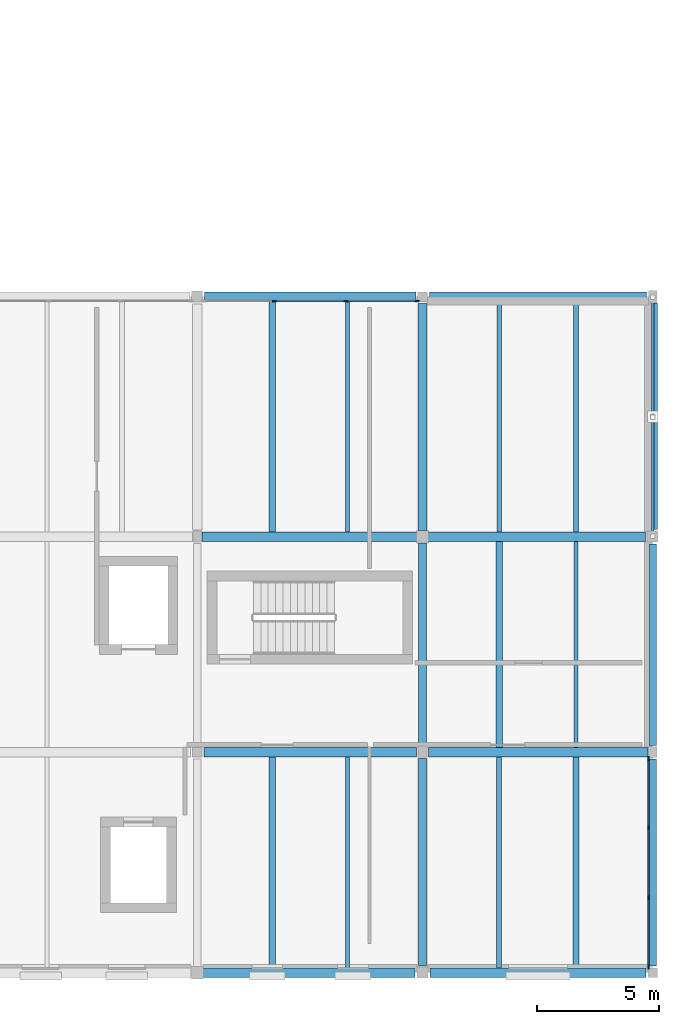
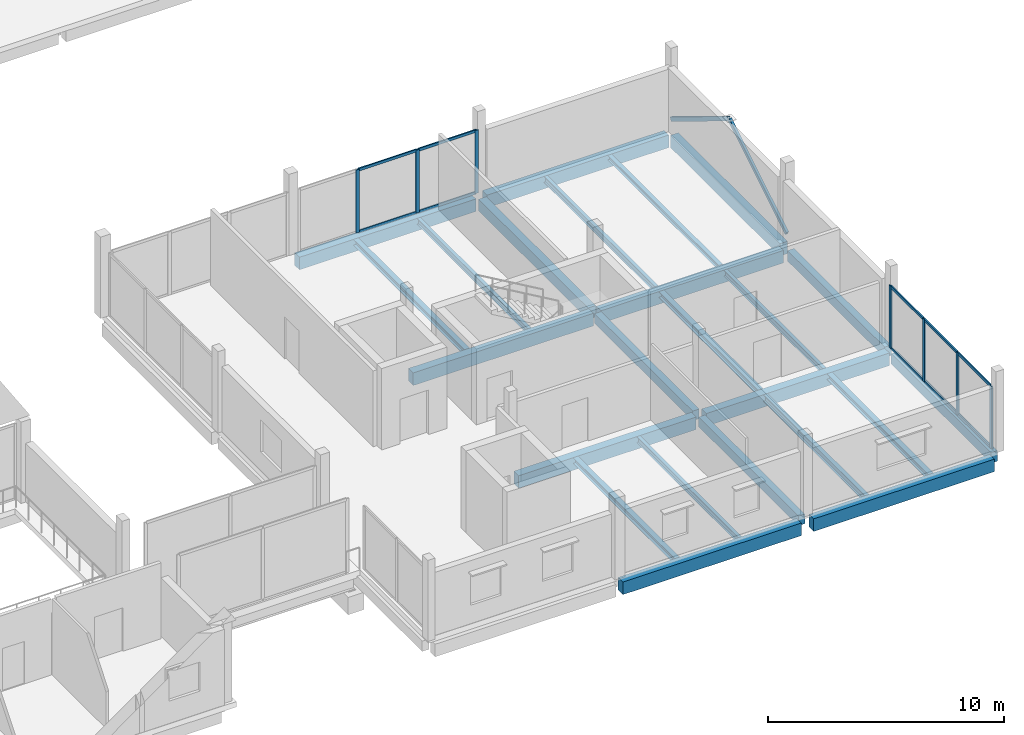
# One storey, part 13 of 35: 24 beams, 19 members, 2 elements without a shape of their own.
"""IFC4 building model written with IfcOpenShell, lengths in metres."""

import ifcopenshell
import ifcopenshell.guid

model = None  # the IFC model being written
_history = None  # IfcOwnerHistory: only IFC2X3 demands one
_inside = {}  # id of a spatial element -> (the spatial element, [elements in it])
_under = {}  # id of a project, library or spatial element -> (it, [spatial elements below it])
_declared = {}  # id of a project -> (the project, [libraries it declares])
_typed = {}  # id of a type object -> (the type object, [elements of that type])
_made_of = {}  # id of a material, layer set ... -> (it, [elements and type objects made of it])


def new_model(schema):
    """Start an empty IFC model of exactly this schema.

    Asked for "IFC4X3", IfcOpenShell would pick the latest addendum, in which some entities
    have other attributes; the version numbers below select the first issue.
    IFC2X3 requires an IfcOwnerHistory on every rooted entity: one is made here for all.
    """
    global model, _history
    if schema == "IFC4X3":
        model = ifcopenshell.file(schema_version=(4, 3, 0, 0))
    else:
        model = ifcopenshell.file(schema=schema)
    _inside.clear()
    _under.clear()
    _declared.clear()
    _typed.clear()
    _made_of.clear()
    _history = None
    if model.schema == "IFC2X3":
        org = make("IfcOrganization", Name="unknown")
        user = make(
            "IfcPersonAndOrganization",
            ThePerson=make("IfcPerson", FamilyName="unknown"),
            TheOrganization=org,
        )
        app = make(
            "IfcApplication",
            ApplicationDeveloper=org,
            Version="unknown",
            ApplicationFullName="unknown",
            ApplicationIdentifier="unknown",
        )
        _history = make(
            "IfcOwnerHistory",
            OwningUser=user,
            OwningApplication=app,
            ChangeAction="ADDED",
            CreationDate=0,
        )
    return model


def make(cls, **values):
    """One entity of the class cls with the attributes given. An attribute that is None is left unset."""
    return model.create_entity(
        cls, **{name: value for name, value in values.items() if value is not None}
    )


def rooted(cls, **values):
    """An entity with a GlobalId (a new one), such as an element, a storey or a relation."""
    return make(cls, GlobalId=ifcopenshell.guid.new(), OwnerHistory=_history, **values)


def si_unit(unit_type, name, prefix=None):
    """IfcSIUnit, for example si_unit("LENGTHUNIT", "METRE", prefix="MILLI")."""
    return make("IfcSIUnit", UnitType=unit_type, Prefix=prefix, Name=name)


def assignment(units):
    """IfcUnitAssignment: the units of a project."""
    return None if units is None else make("IfcUnitAssignment", Units=units)


def point(xyz):
    """IfcCartesianPoint."""
    return None if xyz is None else make("IfcCartesianPoint", Coordinates=xyz)


def direction(xyz):
    """IfcDirection."""
    return None if xyz is None else make("IfcDirection", DirectionRatios=xyz)


def frame(location, z_axis=None, x_axis=None):
    """IfcAxis2Placement3D, a coordinate frame: its origin and axes. An axis left out is left unset."""
    return make(
        "IfcAxis2Placement3D",
        Location=point(location),
        Axis=direction(z_axis),
        RefDirection=direction(x_axis),
    )


def frame_2d(location, x_axis=None):
    """IfcAxis2Placement2D, a coordinate frame in the plane: its origin and x axis."""
    return make(
        "IfcAxis2Placement2D", Location=point(location), RefDirection=direction(x_axis)
    )


def origin():
    """The frame at (0, 0, 0) with its axes left unset."""
    return frame((0.0, 0.0, 0.0))


def origin_2d():
    """The frame at (0, 0) in the plane with its x axis left unset."""
    return frame_2d((0.0, 0.0))


def place(relative_to, where):
    """IfcLocalPlacement: puts the frame where relative to a parent placement (None: the world)."""
    return make(
        "IfcLocalPlacement", PlacementRelTo=relative_to, RelativePlacement=where
    )


def context(
    kind, dimensions, precision=None, world=None, true_north=None, identifier=None
):
    """IfcGeometricRepresentationContext, for example the 3D "Model" context."""
    return make(
        "IfcGeometricRepresentationContext",
        ContextIdentifier=identifier,
        ContextType=kind,
        CoordinateSpaceDimension=dimensions,
        Precision=precision,
        WorldCoordinateSystem=world,
        TrueNorth=true_north,
    )


def subcontext(parent, identifier, kind, view, scale=None):
    """IfcGeometricRepresentationSubContext, for example "Body" below "Model"."""
    return make(
        "IfcGeometricRepresentationSubContext",
        ContextIdentifier=identifier,
        ContextType=kind,
        ParentContext=parent,
        TargetScale=scale,
        TargetView=view,
    )


def project(units=None, contexts=None):
    """IfcProject with its units and contexts."""
    return rooted(
        "IfcProject",
        Name="project",
        RepresentationContexts=contexts,
        UnitsInContext=assignment(units),
    )


def spatial(cls, under=None, at=None, **own):
    """A site, building, storey or space (cls), placed at a placement, below another one or the project."""
    s = rooted(cls, ObjectPlacement=at, **own)
    if under is not None:
        _under.setdefault(under.id(), (under, []))[1].append(s)
    return s


def profile(cls, at=None, kind="AREA", **sizes):
    """A parametric profile (cls). Its sizes go by their IFC names, for example OverallWidth=200.0."""
    return make(cls, ProfileType=kind, Position=at, **sizes)


def rectangle(**sizes):
    """IfcRectangleProfileDef."""
    return profile("IfcRectangleProfileDef", **sizes)


def hollow_rectangle(**sizes):
    """IfcRectangleHollowProfileDef."""
    return profile("IfcRectangleHollowProfileDef", **sizes)


def i_section(**sizes):
    """IfcIShapeProfileDef."""
    return profile("IfcIShapeProfileDef", **sizes)


def extrude(swept, where, along, depth):
    """IfcExtrudedAreaSolid: the profile swept, set in the frame where, extruded along a direction by depth."""
    return make(
        "IfcExtrudedAreaSolid",
        SweptArea=swept,
        Position=where,
        ExtrudedDirection=direction(along),
        Depth=depth,
    )


def shape(context_of_items, identifier, shape_type, items):
    """IfcShapeRepresentation: the items that make up one representation, for example the "Body"."""
    return make(
        "IfcShapeRepresentation",
        ContextOfItems=context_of_items,
        RepresentationIdentifier=identifier,
        RepresentationType=shape_type,
        Items=items,
    )


def material(Name=None, Category=None):
    """IfcMaterial."""
    return make("IfcMaterial", Name=Name, Category=Category)


def layer(
    of_material, thickness, ventilated=None, Name=None, Category=None, Priority=None
):
    """IfcMaterialLayer: one layer of a wall or slab, of a material (None: an air gap)."""
    return make(
        "IfcMaterialLayer",
        Material=of_material,
        LayerThickness=thickness,
        IsVentilated=ventilated,
        Name=Name,
        Category=Category,
        Priority=Priority,
    )


def layer_set(layers, Name=None):
    """IfcMaterialLayerSet."""
    return make("IfcMaterialLayerSet", MaterialLayers=layers, LayerSetName=Name)


def material_profile(
    of_material, cross_section, Name=None, Category=None, Priority=None
):
    """IfcMaterialProfile: a cross section and its material."""
    return make(
        "IfcMaterialProfile",
        Name=Name,
        Material=of_material,
        Profile=cross_section,
        Priority=Priority,
        Category=Category,
    )


def profile_set(profiles, Name=None, composite=None):
    """IfcMaterialProfileSet."""
    return make(
        "IfcMaterialProfileSet",
        Name=Name,
        MaterialProfiles=profiles,
        CompositeProfile=composite,
    )


def made_of(thing, what):
    """Note that an element or type object is made of a material, layer set ...; save() writes the relation."""
    if what is not None:
        _made_of.setdefault(what.id(), (what, []))[1].append(thing)
    return thing


def type_object(cls, material=None, **own):
    """A type object (cls), such as IfcWallType, which elements share."""
    return made_of(rooted(cls, **own), material)


def element(
    cls,
    number,
    at=None,
    inside=None,
    cuts=None,
    type_object=None,
    material=None,
    context=None,
    identifier="Body",
    shape_type=None,
    held_by="IfcProductDefinitionShape",
    body=None,
    shapes=None,
    **own,
):
    """One element of the class cls, such as IfcWall. Its Tag is "e" and its number.

    at: its placement. inside: the storey or other place that contains it. cuts: it is an
    opening in that element (IfcRelVoidsElement). A single representation is given by context,
    identifier, shape_type and body (its items); several are given by shapes. held_by: the class
    of the entity that holds the representations. save() writes the other relations.
    """
    e = rooted(cls, Tag="e%d" % number, ObjectPlacement=at, **own)
    if body is not None:
        shapes = [shape(context, identifier, shape_type, body)]
    if shapes is not None:
        e.Representation = make(held_by, Representations=shapes)
    if inside is not None:
        _inside.setdefault(inside.id(), (inside, []))[1].append(e)
    if cuts is not None:
        rooted(
            "IfcRelVoidsElement", RelatingBuildingElement=cuts, RelatedOpeningElement=e
        )
    if type_object is not None:
        _typed.setdefault(type_object.id(), (type_object, []))[1].append(e)
    return made_of(e, material)


def aggregate(whole, parts):
    """IfcRelAggregates: a whole, such as a stair, and the parts it consists of."""
    return rooted("IfcRelAggregates", RelatingObject=whole, RelatedObjects=parts)


def save(model, path):
    """Write the relations noted so far, then the file.

    IfcRelAggregates (storeys below a building ...), IfcRelContainedInSpatialStructure (elements
    in a storey), IfcRelDefinesByType, IfcRelAssociatesMaterial and IfcRelDeclares: one each for
    every whole, place, type object, material and project.
    """
    for whole, parts in _under.values():
        aggregate(whole, parts)
    for where, things in _inside.values():
        rooted(
            "IfcRelContainedInSpatialStructure",
            RelatedElements=things,
            RelatingStructure=where,
        )
    for kind, things in _typed.values():
        rooted("IfcRelDefinesByType", RelatedObjects=things, RelatingType=kind)
    for what, things in _made_of.values():
        rooted("IfcRelAssociatesMaterial", RelatedObjects=things, RelatingMaterial=what)
    for by, libraries in _declared.values():
        rooted("IfcRelDeclares", RelatingContext=by, RelatedDefinitions=libraries)
    model.write(path)


model = new_model("IFC4")

# Units and contexts
model_context = context("Model", 3, precision=1e-05, world=origin(), true_north=direction((0.0, 1.0)))
body_context = subcontext(model_context, "Body", "Model", "MODEL_VIEW")
ifc_project = project(units=[si_unit("LENGTHUNIT", "METRE"), si_unit("AREAUNIT", "SQUARE_METRE"), si_unit("VOLUMEUNIT", "CUBIC_METRE"), si_unit("PLANEANGLEUNIT", "RADIAN"), si_unit("MASSUNIT", "GRAM", prefix="KILO")], contexts=[model_context])

# Site, building, storey
site_placement = place(None, origin())
site = spatial("IfcSite", under=ifc_project, at=site_placement, CompositionType="ELEMENT")
building_placement = place(site_placement, origin())
building = spatial("IfcBuilding", under=site, at=building_placement, Name="Birchvale Park Specialist Clinic", CompositionType="ELEMENT")
storey_placement = place(building_placement, frame((0.0, 0.0, 13.800048828125)))
storey = spatial("IfcBuildingStorey", under=building, at=storey_placement, Name="L03", CompositionType="ELEMENT", Elevation=13.800048828125)

# Beams
ifc_material_1 = material(Name="Concrete C40/50", Category="concrete")
ifc_material_profile_1 = material_profile(ifc_material_1, rectangle(XDim=0.3798828125, YDim=0.639892578125, at=origin_2d()), Name="RCB-380x640")
ifc_profile_set_1 = profile_set([ifc_material_profile_1], Name="Concrete C40/50")
beam_type_1 = type_object("IfcBeamType", Name="BM-EXT-BG5", PredefinedType="BEAM", material=ifc_profile_set_1)
beam_1_placement = place(storey_placement, frame((155.800048828125, 34.89990234375, -0.60009765625), z_axis=(0.0, 1.0, 0.0), x_axis=(-1.0, 0.0, 0.0)))
element("IfcBeam", 1, at=beam_1_placement, inside=storey, type_object=beam_type_1, Name="V5 L03 Y girder 24", PredefinedType="BEAM", context=body_context, shape_type="SweptSolid", body=[
    extrude(rectangle(XDim=0.3798828125, YDim=0.639892578125, at=origin_2d()), origin(), (0.0, 0.0, 1.0), 9.25),
])
ifc_material_profile_2 = material_profile(ifc_material_1, rectangle(XDim=0.320068359375, YDim=0.5400390625, at=origin_2d()), Name="RCB-320x540")
ifc_profile_set_2 = profile_set([ifc_material_profile_2], Name="Concrete C40/50")
beam_type_2 = type_object("IfcBeamType", Name="BM-EXT-BG7", PredefinedType="BEAM", material=ifc_profile_set_2)
beam_2_placement = place(storey_placement, frame((155.800048828125, 17.074951171875, -0.550048828125), z_axis=(0.0, 1.0, 0.0), x_axis=(-1.0, 0.0, 0.0)))
element("IfcBeam", 2, at=beam_2_placement, inside=storey, type_object=beam_type_2, Name="V5 L03 Y girder 22", PredefinedType="BEAM", context=body_context, shape_type="SweptSolid", body=[
    extrude(rectangle(XDim=0.320068359375, YDim=0.5400390625, at=origin_2d()), origin(), (0.0, 0.0, 1.0), 8.449951171875),
])
beam_3_placement = place(storey_placement, frame((155.800048828125, 26.074951171875, -0.550048828125), z_axis=(0.0, 1.0, 0.0), x_axis=(-1.0, 0.0, 0.0)))
element("IfcBeam", 3, at=beam_3_placement, inside=storey, type_object=beam_type_2, Name="V5 L03 Y girder 23", PredefinedType="BEAM", context=body_context, shape_type="SweptSolid", body=[
    extrude(rectangle(XDim=0.320068359375, YDim=0.5400390625, at=origin_2d()), origin(), (0.0, 0.0, 1.0), 8.22509765625),
])
ifc_material_profile_3 = material_profile(ifc_material_1, rectangle(XDim=0.39990234375, YDim=0.64990234375, at=origin_2d()), Name="RCB-400x650")
ifc_profile_set_3 = profile_set([ifc_material_profile_3], Name="Concrete C40/50")
beam_type_3 = type_object("IfcBeamType", Name="BM-INT-BG4", PredefinedType="BEAM", material=ifc_profile_set_3)
beam_4_placement = place(storey_placement, frame((137.375, 16.800048828125, -0.60498046875), z_axis=(1.0, 0.0, 0.0), x_axis=(0.0, 1.0, 0.0)))
element("IfcBeam", 4, at=beam_4_placement, inside=storey, type_object=beam_type_3, Name="V5 L03 X girder 2", PredefinedType="BEAM", context=body_context, shape_type="SweptSolid", body=[
    extrude(rectangle(XDim=0.39990234375, YDim=0.64990234375, at=origin_2d()), origin(), (0.0, 0.0, 1.0), 8.72509765625),
])
beam_5_placement = place(storey_placement, frame((146.699951171875, 16.800048828125, -0.60498046875), z_axis=(1.0, 0.0, 0.0), x_axis=(0.0, 1.0, 0.0)))
element("IfcBeam", 5, at=beam_5_placement, inside=storey, type_object=beam_type_3, Name="V5 L03 X girder 3", PredefinedType="BEAM", context=body_context, shape_type="SweptSolid", body=[
    extrude(rectangle(XDim=0.39990234375, YDim=0.64990234375, at=origin_2d()), origin(), (0.0, 0.0, 1.0), 8.824951171875),
])
beam_6_placement = place(storey_placement, frame((137.47509765625, 25.800048828125, -0.60498046875), z_axis=(1.0, 0.0, 0.0), x_axis=(0.0, 1.0, 0.0)))
element("IfcBeam", 6, at=beam_6_placement, inside=storey, type_object=beam_type_3, Name="V5 L03 X girder 5", PredefinedType="BEAM", context=body_context, shape_type="SweptSolid", body=[
    extrude(rectangle(XDim=0.39990234375, YDim=0.64990234375, at=origin_2d()), origin(), (0.0, 0.0, 1.0), 8.6748046875),
])
beam_7_placement = place(storey_placement, frame((146.64990234375, 25.800048828125, -0.60498046875), z_axis=(1.0, 0.0, 0.0), x_axis=(0.0, 1.0, 0.0)))
element("IfcBeam", 7, at=beam_7_placement, inside=storey, type_object=beam_type_3, Name="V5 L03 X girder 6", PredefinedType="BEAM", context=body_context, shape_type="SweptSolid", body=[
    extrude(rectangle(XDim=0.39990234375, YDim=0.64990234375, at=origin_2d()), origin(), (0.0, 0.0, 1.0), 8.9501953125),
])
beam_8_placement = place(storey_placement, frame((137.39990234375, 34.60009765625, -0.60498046875), z_axis=(1.0, 0.0, 0.0), x_axis=(0.0, 1.0, 0.0)))
element("IfcBeam", 8, at=beam_8_placement, inside=storey, type_object=beam_type_3, Name="V5 L03 X girder 8", PredefinedType="BEAM", context=body_context, shape_type="SweptSolid", body=[
    extrude(rectangle(XDim=0.39990234375, YDim=0.64990234375, at=origin_2d()), origin(), (0.0, 0.0, 1.0), 8.8251953125),
])
beam_9_placement = place(storey_placement, frame((146.574951171875, 34.60009765625, -0.60498046875), z_axis=(1.0, 0.0, 0.0), x_axis=(0.0, 1.0, 0.0)))
element("IfcBeam", 9, at=beam_9_placement, inside=storey, type_object=beam_type_3, Name="V5 L03 X girder 9", PredefinedType="BEAM", context=body_context, shape_type="SweptSolid", body=[
    extrude(rectangle(XDim=0.39990234375, YDim=0.64990234375, at=origin_2d()), origin(), (0.0, 0.0, 1.0), 8.925048828125),
])
beam_10_placement = place(storey_placement, frame((137.5, 44.39990234375, -0.60498046875), z_axis=(1.0, 0.0, 0.0), x_axis=(0.0, 1.0, 0.0)))
element("IfcBeam", 10, at=beam_10_placement, inside=storey, type_object=beam_type_3, Name="V5 L03 X girder 11", PredefinedType="BEAM", context=body_context, shape_type="SweptSolid", body=[
    extrude(rectangle(XDim=0.39990234375, YDim=0.64990234375, at=origin_2d()), origin(), (0.0, 0.0, 1.0), 8.625),
])
beam_11_placement = place(storey_placement, frame((146.675048828125, 44.39990234375, -0.60498046875), z_axis=(1.0, 0.0, 0.0), x_axis=(0.0, 1.0, 0.0)))
element("IfcBeam", 11, at=beam_11_placement, inside=storey, type_object=beam_type_3, Name="V5 L03 X girder 12", PredefinedType="BEAM", context=body_context, shape_type="SweptSolid", body=[
    extrude(rectangle(XDim=0.39990234375, YDim=0.64990234375, at=origin_2d()), origin(), (0.0, 0.0, 1.0), 8.875),
])
ifc_material_profile_4 = material_profile(ifc_material_1, rectangle(XDim=0.3798828125, YDim=0.60009765625, at=origin_2d()), Name="RCB-380x600")
ifc_profile_set_4 = profile_set([ifc_material_profile_4], Name="Concrete C40/50")
beam_type_4 = type_object("IfcBeamType", Name="BM-INT-BG5", PredefinedType="BEAM", material=ifc_profile_set_4)
beam_12_placement = place(storey_placement, frame((146.39990234375, 34.85009765625, -0.580078125), z_axis=(0.0, 1.0, 0.0), x_axis=(-1.0, 0.0, 0.0)))
element("IfcBeam", 12, at=beam_12_placement, inside=storey, type_object=beam_type_4, Name="V5 L03 Y girder 21", PredefinedType="BEAM", context=body_context, shape_type="SweptSolid", body=[
    extrude(rectangle(XDim=0.3798828125, YDim=0.60009765625, at=origin_2d()), origin(), (0.0, 0.0, 1.0), 9.27490234375),
])
ifc_material_profile_5 = material_profile(ifc_material_1, rectangle(XDim=0.320068359375, YDim=0.5, at=origin_2d()), Name="RCB-320x500")
ifc_profile_set_5 = profile_set([ifc_material_profile_5], Name="Concrete C40/50")
beam_type_5 = type_object("IfcBeamType", Name="BM-INT-BG7", PredefinedType="BEAM", material=ifc_profile_set_5)
beam_13_placement = place(storey_placement, frame((146.39990234375, 17.10009765625, -0.530029296875), z_axis=(0.0, 1.0, 0.0), x_axis=(-1.0, 0.0, 0.0)))
element("IfcBeam", 13, at=beam_13_placement, inside=storey, type_object=beam_type_5, Name="V5 L03 Y girder 19", PredefinedType="BEAM", context=body_context, shape_type="SweptSolid", body=[
    extrude(rectangle(XDim=0.320068359375, YDim=0.5, at=origin_2d()), origin(), (0.0, 0.0, 1.0), 8.449951171875),
])
beam_14_placement = place(storey_placement, frame((146.39990234375, 26.050048828125, -0.530029296875), z_axis=(0.0, 1.0, 0.0), x_axis=(-1.0, 0.0, 0.0)))
element("IfcBeam", 14, at=beam_14_placement, inside=storey, type_object=beam_type_5, Name="V5 L03 Y girder 20", PredefinedType="BEAM", context=body_context, shape_type="SweptSolid", body=[
    extrude(rectangle(XDim=0.320068359375, YDim=0.5, at=origin_2d()), origin(), (0.0, 0.0, 1.0), 8.300048828125),
])

# Curtain wall, members
ifc_material_2 = material(Name="Thermally broken anodised aluminium", Category="aluminium")
ifc_layer = layer(ifc_material_2, 0.195068359375)
ifc_layer_set = layer_set([ifc_layer], Name="Thermally broken anodised aluminium")
curtain_wall_type = type_object("IfcCurtainWallType", Name="CW-U2", PredefinedType="USERDEFINED", material=ifc_layer_set)
curtain_wall_1_placement = place(storey_placement, origin())
curtain_wall_1 = element("IfcCurtainWall", 15, at=curtain_wall_1_placement, inside=storey, type_object=curtain_wall_type, Name="V5 L03 glazed curtain wall 125", ObjectType="UNITISED", PredefinedType="USERDEFINED")
ifc_material_profile_6 = material_profile(ifc_material_2, rectangle(XDim=0.06494140625, YDim=0.179931640625, at=origin_2d()), Name="CWM-65x180")
ifc_profile_set_6 = profile_set([ifc_material_profile_6], Name="Thermally broken anodised aluminium")
member_type_1 = type_object("IfcMemberType", Name="CWM2", PredefinedType="MULLION", material=ifc_profile_set_6)
member_1_placement = place(storey_placement, frame((155.625, 17.032470703125, 0.0), z_axis=(0.0, 0.0, 1.0), x_axis=(-1.0, 0.0, 0.0)))
member_1 = element("IfcMember", 16, at=member_1_placement, type_object=member_type_1, Name="CW mullion 1", PredefinedType="MULLION", context=body_context, shape_type="SweptSolid", body=[
    extrude(rectangle(XDim=0.06494140625, YDim=0.179931640625, at=origin_2d()), origin(), (0.0, 0.0, 1.0), 3.23486328125),
])
member_2_placement = place(storey_placement, frame((155.625, 19.8583984375, 0.0), z_axis=(0.0, 0.0, 1.0), x_axis=(-1.0, 0.0, 0.0)))
member_2 = element("IfcMember", 17, at=member_2_placement, type_object=member_type_1, Name="CW mullion 2", PredefinedType="MULLION", context=body_context, shape_type="SweptSolid", body=[
    extrude(rectangle(XDim=0.06494140625, YDim=0.179931640625, at=origin_2d()), origin(), (0.0, 0.0, 1.0), 3.23486328125),
])
member_3_placement = place(storey_placement, frame((155.625, 22.716552734375, 0.0), z_axis=(0.0, 0.0, 1.0), x_axis=(-1.0, 0.0, 0.0)))
member_3 = element("IfcMember", 18, at=member_3_placement, type_object=member_type_1, Name="CW mullion 3", PredefinedType="MULLION", context=body_context, shape_type="SweptSolid", body=[
    extrude(rectangle(XDim=0.06494140625, YDim=0.179931640625, at=origin_2d()), origin(), (0.0, 0.0, 1.0), 3.23486328125),
])
member_4_placement = place(storey_placement, frame((155.625, 25.54248046875, 0.0), z_axis=(0.0, 0.0, 1.0), x_axis=(-1.0, 0.0, 0.0)))
member_4 = element("IfcMember", 19, at=member_4_placement, type_object=member_type_1, Name="CW mullion 4", PredefinedType="MULLION", context=body_context, shape_type="SweptSolid", body=[
    extrude(rectangle(XDim=0.06494140625, YDim=0.179931640625, at=origin_2d()), origin(), (0.0, 0.0, 1.0), 3.23486328125),
])

curtain_wall_2_placement = place(storey_placement, origin())
curtain_wall_2 = element("IfcCurtainWall", 20, at=curtain_wall_2_placement, inside=storey, type_object=curtain_wall_type, Name="V5 L03 glazed curtain wall 126", ObjectType="UNITISED", PredefinedType="USERDEFINED")
member_5_placement = place(storey_placement, frame((146.16748046875, 44.22509765625, 0.0), z_axis=(0.0, 0.0, 1.0), x_axis=(0.0, -1.0, 0.0)))
member_5 = element("IfcMember", 21, at=member_5_placement, type_object=member_type_1, Name="CW mullion 1", PredefinedType="MULLION", context=body_context, shape_type="SweptSolid", body=[
    extrude(rectangle(XDim=0.06494140625, YDim=0.179931640625, at=origin_2d()), origin(), (0.0, 0.0, 1.0), 3.260009765625),
])
member_6_placement = place(storey_placement, frame((143.27490234375, 44.22509765625, 0.0), z_axis=(0.0, 0.0, 1.0), x_axis=(0.0, -1.0, 0.0)))
member_6 = element("IfcMember", 22, at=member_6_placement, type_object=member_type_1, Name="CW mullion 2", PredefinedType="MULLION", context=body_context, shape_type="SweptSolid", body=[
    extrude(rectangle(XDim=0.06494140625, YDim=0.179931640625, at=origin_2d()), origin(), (0.0, 0.0, 1.0), 3.260009765625),
])
member_7_placement = place(storey_placement, frame((140.35009765625, 44.22509765625, 0.0), z_axis=(0.0, 0.0, 1.0), x_axis=(0.0, -1.0, 0.0)))
member_7 = element("IfcMember", 23, at=member_7_placement, type_object=member_type_1, Name="CW mullion 3", PredefinedType="MULLION", context=body_context, shape_type="SweptSolid", body=[
    extrude(rectangle(XDim=0.06494140625, YDim=0.179931640625, at=origin_2d()), origin(), (0.0, 0.0, 1.0), 3.260009765625),
])

# Member
ifc_material_profile_7 = material_profile(ifc_material_2, rectangle(XDim=0.06494140625, YDim=0.139892578125, at=origin_2d()), Name="CWT-65x140")
ifc_profile_set_7 = profile_set([ifc_material_profile_7], Name="Thermally broken anodised aluminium")
member_type_2 = type_object("IfcMemberType", Name="CWT2", PredefinedType="USERDEFINED", material=ifc_profile_set_7)
member_8_placement = place(storey_placement, frame((155.625, 17.06494140625, 0.032470703125), z_axis=(0.0, 1.0, 0.0), x_axis=(-1.0, 0.0, 0.0)))
member_8 = element("IfcMember", 24, at=member_8_placement, type_object=member_type_2, Name="CW transom 1.1", ObjectType="TRANSOM", PredefinedType="USERDEFINED", context=body_context, shape_type="SweptSolid", body=[
    extrude(rectangle(XDim=0.06494140625, YDim=0.139892578125, at=origin_2d()), origin(), (0.0, 0.0, 1.0), 2.760986328125),
])

member_9_placement = place(storey_placement, frame((155.625, 17.06494140625, 3.202392578125), z_axis=(0.0, 1.0, 0.0), x_axis=(-1.0, 0.0, 0.0)))
member_9 = element("IfcMember", 25, at=member_9_placement, type_object=member_type_2, Name="CW transom 1.2", ObjectType="TRANSOM", PredefinedType="USERDEFINED", context=body_context, shape_type="SweptSolid", body=[
    extrude(rectangle(XDim=0.06494140625, YDim=0.139892578125, at=origin_2d()), origin(), (0.0, 0.0, 1.0), 2.760986328125),
])

member_10_placement = place(storey_placement, frame((155.625, 19.890869140625, 0.032470703125), z_axis=(0.0, 1.0, 0.0), x_axis=(-1.0, 0.0, 0.0)))
member_10 = element("IfcMember", 26, at=member_10_placement, type_object=member_type_2, Name="CW transom 2.1", ObjectType="TRANSOM", PredefinedType="USERDEFINED", context=body_context, shape_type="SweptSolid", body=[
    extrude(rectangle(XDim=0.06494140625, YDim=0.139892578125, at=origin_2d()), origin(), (0.0, 0.0, 1.0), 2.793212890625),
])

member_11_placement = place(storey_placement, frame((155.625, 19.890869140625, 3.202392578125), z_axis=(0.0, 1.0, 0.0), x_axis=(-1.0, 0.0, 0.0)))
member_11 = element("IfcMember", 27, at=member_11_placement, type_object=member_type_2, Name="CW transom 2.2", ObjectType="TRANSOM", PredefinedType="USERDEFINED", context=body_context, shape_type="SweptSolid", body=[
    extrude(rectangle(XDim=0.06494140625, YDim=0.139892578125, at=origin_2d()), origin(), (0.0, 0.0, 1.0), 2.793212890625),
])

member_12_placement = place(storey_placement, frame((155.625, 22.749267578125, 0.032470703125), z_axis=(0.0, 1.0, 0.0), x_axis=(-1.0, 0.0, 0.0)))
member_12 = element("IfcMember", 28, at=member_12_placement, type_object=member_type_2, Name="CW transom 3.1", ObjectType="TRANSOM", PredefinedType="USERDEFINED", context=body_context, shape_type="SweptSolid", body=[
    extrude(rectangle(XDim=0.06494140625, YDim=0.139892578125, at=origin_2d()), origin(), (0.0, 0.0, 1.0), 2.7607421875),
])

member_13_placement = place(storey_placement, frame((155.625, 22.749267578125, 3.202392578125), z_axis=(0.0, 1.0, 0.0), x_axis=(-1.0, 0.0, 0.0)))
member_13 = element("IfcMember", 29, at=member_13_placement, type_object=member_type_2, Name="CW transom 3.2", ObjectType="TRANSOM", PredefinedType="USERDEFINED", context=body_context, shape_type="SweptSolid", body=[
    extrude(rectangle(XDim=0.06494140625, YDim=0.139892578125, at=origin_2d()), origin(), (0.0, 0.0, 1.0), 2.7607421875),
])

aggregate(curtain_wall_1, [member_1, member_2, member_3, member_4, member_8, member_9, member_10, member_11, member_12, member_13])

member_14_placement = place(storey_placement, frame((146.135009765625, 44.22509765625, 0.032470703125), z_axis=(-1.0, 0.0, 0.0), x_axis=(0.0, -1.0, 0.0)))
member_14 = element("IfcMember", 30, at=member_14_placement, type_object=member_type_2, Name="CW transom 1.1", ObjectType="TRANSOM", PredefinedType="USERDEFINED", context=body_context, shape_type="SweptSolid", body=[
    extrude(rectangle(XDim=0.06494140625, YDim=0.139892578125, at=origin_2d()), origin(), (0.0, 0.0, 1.0), 2.827392578125),
])

member_15_placement = place(storey_placement, frame((146.135009765625, 44.22509765625, 3.2275390625), z_axis=(-1.0, 0.0, 0.0), x_axis=(0.0, -1.0, 0.0)))
member_15 = element("IfcMember", 31, at=member_15_placement, type_object=member_type_2, Name="CW transom 1.2", ObjectType="TRANSOM", PredefinedType="USERDEFINED", context=body_context, shape_type="SweptSolid", body=[
    extrude(rectangle(XDim=0.06494140625, YDim=0.139892578125, at=origin_2d()), origin(), (0.0, 0.0, 1.0), 2.827392578125),
])

member_16_placement = place(storey_placement, frame((143.242431640625, 44.22509765625, 0.032470703125), z_axis=(-1.0, 0.0, 0.0), x_axis=(0.0, -1.0, 0.0)))
member_16 = element("IfcMember", 32, at=member_16_placement, type_object=member_type_2, Name="CW transom 2.1", ObjectType="TRANSOM", PredefinedType="USERDEFINED", context=body_context, shape_type="SweptSolid", body=[
    extrude(rectangle(XDim=0.06494140625, YDim=0.139892578125, at=origin_2d()), origin(), (0.0, 0.0, 1.0), 2.85986328125),
])

member_17_placement = place(storey_placement, frame((143.242431640625, 44.22509765625, 3.2275390625), z_axis=(-1.0, 0.0, 0.0), x_axis=(0.0, -1.0, 0.0)))
member_17 = element("IfcMember", 33, at=member_17_placement, type_object=member_type_2, Name="CW transom 2.2", ObjectType="TRANSOM", PredefinedType="USERDEFINED", context=body_context, shape_type="SweptSolid", body=[
    extrude(rectangle(XDim=0.06494140625, YDim=0.139892578125, at=origin_2d()), origin(), (0.0, 0.0, 1.0), 2.85986328125),
])

aggregate(curtain_wall_2, [member_5, member_6, member_7, member_14, member_15, member_16, member_17])

# Members
ifc_material_3 = material(Name="Steel ASTM A500 Grade C", Category="steel")
ifc_material_profile_8 = material_profile(ifc_material_3, hollow_rectangle(XDim=0.1201171875, YDim=0.199951171875, WallThickness=0.008056640625, at=origin_2d()), Name="HSS120X200X8")
ifc_profile_set_8 = profile_set([ifc_material_profile_8], Name="Steel ASTM A500 Grade C")
member_type_3 = type_object("IfcMemberType", Name="MEM-BR8", PredefinedType="BRACE", material=ifc_profile_set_8)
for number, where, z_axis, x_axis, name in (
    (34, (155.800048828125, 34.62548828125, 0.365478515625), (0.0, 0.853612071838, 0.520909234715), (-1.0, 0.0, 0.0), "V5 L03 chevron steel brace 12.1"),
    (35, (155.800048828125, 44.37451171875, 0.365478515625), (0.0, -0.853612071838, 0.520909234715), (1.0, 0.0, 0.0), "V5 L03 chevron steel brace 12.2"),
):
    element("IfcMember", number, at=place(storey_placement, frame(where, z_axis=z_axis, x_axis=x_axis)), inside=storey, type_object=member_type_3, Name=name, PredefinedType="BRACE", context=body_context, shape_type="SweptSolid", body=[
        extrude(hollow_rectangle(XDim=0.1201171875, YDim=0.199951171875, WallThickness=0.008056640625, at=origin_2d()), origin(), (0.0, 0.0, 1.0), 5.680419921875),
    ])

# Beams
ifc_material_4 = material(Name="Steel ASTM A992 Grade 50", Category="steel")
ifc_material_profile_9 = material_profile(ifc_material_4, i_section(OverallWidth=0.2041015625, OverallDepth=0.35107421875, WebThickness=0.008544921875, FlangeThickness=0.01513671875, at=origin_2d()), Name="W14X48")
ifc_profile_set_9 = profile_set([ifc_material_profile_9], Name="Steel ASTM A992 Grade 50")
beam_type_6 = type_object("IfcBeamType", Name="STL-INT-SJ1", PredefinedType="JOIST", material=ifc_profile_set_9)
beam_15_placement = place(storey_placement, frame((149.533203125, 17.0, -0.45556640625), z_axis=(0.0, 1.0, 0.0), x_axis=(-1.0, 0.0, 0.0)))
element("IfcBeam", 36, at=beam_15_placement, inside=storey, type_object=beam_type_6, Name="V5 L03 secondary floor joist 9", PredefinedType="JOIST", context=body_context, shape_type="SweptSolid", body=[
    extrude(i_section(OverallWidth=0.2041015625, OverallDepth=0.35107421875, WebThickness=0.008544921875, FlangeThickness=0.01513671875, at=origin_2d()), origin(), (0.0, 0.0, 1.0), 8.60009765625),
])
ifc_material_profile_10 = material_profile(ifc_material_4, i_section(OverallWidth=0.25390625, OverallDepth=0.305908203125, WebThickness=0.0087890625, FlangeThickness=0.0146484375, at=origin_2d()), Name="W12X53")
ifc_profile_set_10 = profile_set([ifc_material_profile_10], Name="Steel ASTM A992 Grade 50")
beam_type_7 = type_object("IfcBeamType", Name="STL-INT-SJ2", PredefinedType="JOIST", material=ifc_profile_set_10)
beam_16_placement = place(storey_placement, frame((140.2666015625, 17.0, -0.43310546875), z_axis=(0.0, 1.0, 0.0), x_axis=(-1.0, 0.0, 0.0)))
element("IfcBeam", 37, at=beam_16_placement, inside=storey, type_object=beam_type_7, Name="V5 L03 secondary floor joist 5", PredefinedType="JOIST", context=body_context, shape_type="SweptSolid", body=[
    extrude(i_section(OverallWidth=0.25390625, OverallDepth=0.305908203125, WebThickness=0.0087890625, FlangeThickness=0.0146484375, at=origin_2d()), origin(), (0.0, 0.0, 1.0), 8.60009765625),
])
beam_17_placement = place(storey_placement, frame((140.2666015625, 34.800048828125, -0.43310546875), z_axis=(0.0, 1.0, 0.0), x_axis=(-1.0, 0.0, 0.0)))
element("IfcBeam", 38, at=beam_17_placement, inside=storey, type_object=beam_type_7, Name="V5 L03 secondary floor joist 7", PredefinedType="JOIST", context=body_context, shape_type="SweptSolid", body=[
    extrude(i_section(OverallWidth=0.25390625, OverallDepth=0.305908203125, WebThickness=0.0087890625, FlangeThickness=0.0146484375, at=origin_2d()), origin(), (0.0, 0.0, 1.0), 9.39990234375),
])
beam_18_placement = place(storey_placement, frame((152.666748046875, 17.0, -0.43310546875), z_axis=(0.0, 1.0, 0.0), x_axis=(-1.0, 0.0, 0.0)))
element("IfcBeam", 39, at=beam_18_placement, inside=storey, type_object=beam_type_7, Name="V5 L03 secondary floor joist 10", PredefinedType="JOIST", context=body_context, shape_type="SweptSolid", body=[
    extrude(i_section(OverallWidth=0.25390625, OverallDepth=0.305908203125, WebThickness=0.0087890625, FlangeThickness=0.0146484375, at=origin_2d()), origin(), (0.0, 0.0, 1.0), 8.60009765625),
])
beam_19_placement = place(storey_placement, frame((149.533203125, 26.0, -0.43310546875), z_axis=(0.0, 1.0, 0.0), x_axis=(-1.0, 0.0, 0.0)))
element("IfcBeam", 40, at=beam_19_placement, inside=storey, type_object=beam_type_7, Name="V5 L03 secondary floor joist 11", PredefinedType="JOIST", context=body_context, shape_type="SweptSolid", body=[
    extrude(i_section(OverallWidth=0.25390625, OverallDepth=0.305908203125, WebThickness=0.0087890625, FlangeThickness=0.0146484375, at=origin_2d()), origin(), (0.0, 0.0, 1.0), 8.39990234375),
])
ifc_material_profile_11 = material_profile(ifc_material_4, i_section(OverallWidth=0.1669921875, OverallDepth=0.31689453125, WebThickness=0.007568359375, FlangeThickness=0.01318359375, at=origin_2d()), Name="W12X35")
ifc_profile_set_11 = profile_set([ifc_material_profile_11], Name="Steel ASTM A992 Grade 50")
beam_type_8 = type_object("IfcBeamType", Name="STL-INT-SJ3", PredefinedType="JOIST", material=ifc_profile_set_11)
beam_20_placement = place(storey_placement, frame((143.333251953125, 17.0, -0.4384765625), z_axis=(0.0, 1.0, 0.0), x_axis=(-1.0, 0.0, 0.0)))
element("IfcBeam", 41, at=beam_20_placement, inside=storey, type_object=beam_type_8, Name="V5 L03 secondary floor joist 6", PredefinedType="JOIST", context=body_context, shape_type="SweptSolid", body=[
    extrude(i_section(OverallWidth=0.1669921875, OverallDepth=0.31689453125, WebThickness=0.007568359375, FlangeThickness=0.01318359375, at=origin_2d()), origin(), (0.0, 0.0, 1.0), 8.60009765625),
])
beam_21_placement = place(storey_placement, frame((143.333251953125, 34.800048828125, -0.4384765625), z_axis=(0.0, 1.0, 0.0), x_axis=(-1.0, 0.0, 0.0)))
element("IfcBeam", 42, at=beam_21_placement, inside=storey, type_object=beam_type_8, Name="V5 L03 secondary floor joist 8", PredefinedType="JOIST", context=body_context, shape_type="SweptSolid", body=[
    extrude(i_section(OverallWidth=0.1669921875, OverallDepth=0.31689453125, WebThickness=0.007568359375, FlangeThickness=0.01318359375, at=origin_2d()), origin(), (0.0, 0.0, 1.0), 9.39990234375),
])
beam_22_placement = place(storey_placement, frame((152.666748046875, 26.0, -0.4384765625), z_axis=(0.0, 1.0, 0.0), x_axis=(-1.0, 0.0, 0.0)))
element("IfcBeam", 43, at=beam_22_placement, inside=storey, type_object=beam_type_8, Name="V5 L03 secondary floor joist 12", PredefinedType="JOIST", context=body_context, shape_type="SweptSolid", body=[
    extrude(i_section(OverallWidth=0.1669921875, OverallDepth=0.31689453125, WebThickness=0.007568359375, FlangeThickness=0.01318359375, at=origin_2d()), origin(), (0.0, 0.0, 1.0), 8.39990234375),
])
beam_23_placement = place(storey_placement, frame((149.533203125, 34.800048828125, -0.4384765625), z_axis=(0.0, 1.0, 0.0), x_axis=(-1.0, 0.0, 0.0)))
element("IfcBeam", 44, at=beam_23_placement, inside=storey, type_object=beam_type_8, Name="V5 L03 secondary floor joist 13", PredefinedType="JOIST", context=body_context, shape_type="SweptSolid", body=[
    extrude(i_section(OverallWidth=0.1669921875, OverallDepth=0.31689453125, WebThickness=0.007568359375, FlangeThickness=0.01318359375, at=origin_2d()), origin(), (0.0, 0.0, 1.0), 9.39990234375),
])
ifc_material_profile_12 = material_profile(ifc_material_4, i_section(OverallWidth=0.202880859375, OverallDepth=0.251953125, WebThickness=0.008056640625, FlangeThickness=0.013427734375, at=origin_2d()), Name="W10X39")
ifc_profile_set_12 = profile_set([ifc_material_profile_12], Name="Steel ASTM A992 Grade 50")
beam_type_9 = type_object("IfcBeamType", Name="STL-INT-SJ4", PredefinedType="JOIST", material=ifc_profile_set_12)
beam_24_placement = place(storey_placement, frame((152.666748046875, 34.800048828125, -0.406005859375), z_axis=(0.0, 1.0, 0.0), x_axis=(-1.0, 0.0, 0.0)))
element("IfcBeam", 45, at=beam_24_placement, inside=storey, type_object=beam_type_9, Name="V5 L03 secondary floor joist 14", PredefinedType="JOIST", context=body_context, shape_type="SweptSolid", body=[
    extrude(i_section(OverallWidth=0.202880859375, OverallDepth=0.251953125, WebThickness=0.008056640625, FlangeThickness=0.013427734375, at=origin_2d()), origin(), (0.0, 0.0, 1.0), 9.39990234375),
])

save(model, "model.ifc")
